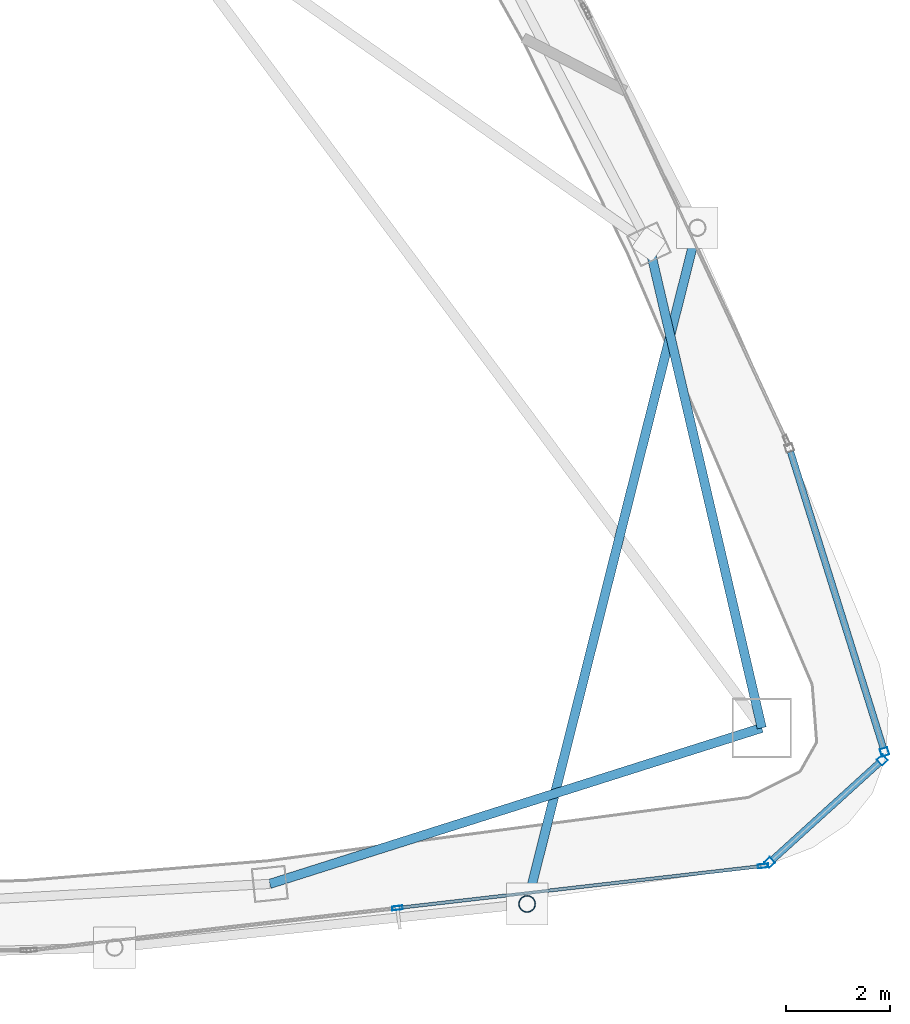
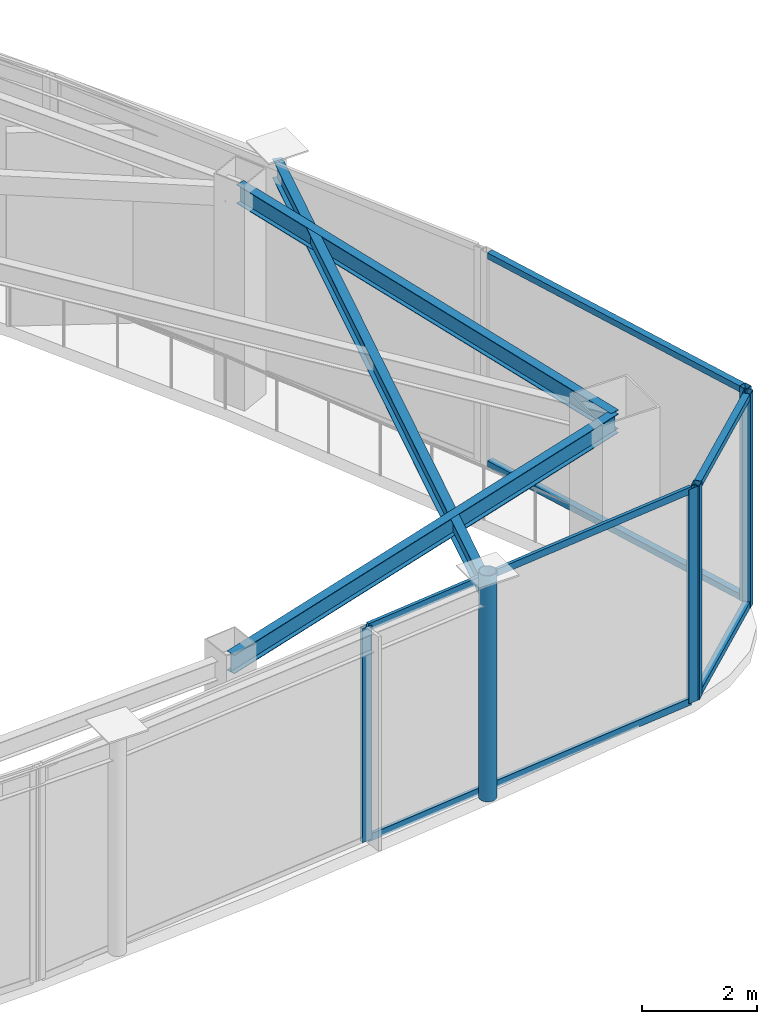
# One storey, part 11 of 20: 12 members, 3 beams, 3 elements without a shape of their own.
"""IFC4 building model written with IfcOpenShell, lengths in metres."""

from ifc_helpers import new_model, si_unit, direction, frame, origin, origin_2d, place, context, subcontext, project, spatial, hollow_rectangle, hollow_circle, i_section, extrude, material, layer, layer_set, material_profile, profile_set, type_object, element, aggregate, save


model = new_model("IFC4")

# Units and contexts
model_context = context("Model", 3, precision=1e-05, world=origin(), true_north=direction((0.0, 1.0)))
body_context = subcontext(model_context, "Body", "Model", "MODEL_VIEW")
ifc_project = project(units=[si_unit("LENGTHUNIT", "METRE"), si_unit("AREAUNIT", "SQUARE_METRE"), si_unit("VOLUMEUNIT", "CUBIC_METRE"), si_unit("PLANEANGLEUNIT", "RADIAN"), si_unit("MASSUNIT", "GRAM", prefix="KILO")], contexts=[model_context])

# Site, building, storey
site_placement = place(None, origin())
site = spatial("IfcSite", under=ifc_project, at=site_placement, CompositionType="ELEMENT")
building_placement = place(site_placement, origin())
building = spatial("IfcBuilding", under=site, at=building_placement, Name="Orvanel Arch Residences", CompositionType="ELEMENT")
storey_placement = place(building_placement, frame((0.0, 0.0, 300.5)))
storey = spatial("IfcBuildingStorey", under=building, at=storey_placement, Name="L84", CompositionType="ELEMENT", Elevation=300.5)

# Curtain wall, members
ifc_material_1 = material(Name="Bronze-anodised aluminium AA6063-T6", Category="aluminium")
ifc_layer = layer(ifc_material_1, 0.2099609375)
ifc_layer_set = layer_set([ifc_layer], Name="Bronze-anodised aluminium AA6063-T6")
curtain_wall_type = type_object("IfcCurtainWallType", Name="CW7-TOP-SYS", PredefinedType="NOTDEFINED", material=ifc_layer_set)
curtain_wall_1_placement = place(storey_placement, origin())
curtain_wall_1 = element("IfcCurtainWall", 1, at=curtain_wall_1_placement, inside=storey, type_object=curtain_wall_type, Name="L84 CW7-TOP-SYS Unitised Curtain Wall", PredefinedType="NOTDEFINED")
ifc_material_profile_1 = material_profile(ifc_material_1, hollow_rectangle(XDim=0.14990234375, YDim=0.14990234375, WallThickness=0.0048828125, at=origin_2d()), Name="ALU150x150x5")
ifc_profile_set_1 = profile_set([ifc_material_profile_1], Name="Bronze-anodised aluminium AA6063-T6")
member_type_1 = type_object("IfcMemberType", Name="MUL-150x150", PredefinedType="MULLION", material=ifc_profile_set_1)
member_1_placement = place(storey_placement, frame((51.95361328125, 7.76953125, 0.0), z_axis=(0.0, 0.0, 1.0), x_axis=(-0.672462257522, 0.740131415499, 0.0)))
member_1 = element("IfcMember", 2, at=member_1_placement, type_object=member_type_1, Name="CW-S7 mullion 1", PredefinedType="MULLION", context=body_context, shape_type="SweptSolid", body=[
    extrude(hollow_rectangle(XDim=0.14990234375, YDim=0.14990234375, WallThickness=0.0048828125, at=origin_2d()), origin(), (0.0, 0.0, 1.0), 4.550048828125),
])
member_2_placement = place(storey_placement, frame((54.117431640625, 9.735595703125, 0.0), z_axis=(0.0, 0.0, 1.0), x_axis=(-0.672462257522, 0.740131415499, 0.0)))
member_2 = element("IfcMember", 3, at=member_2_placement, type_object=member_type_1, Name="CW-S7 mullion 2", PredefinedType="MULLION", context=body_context, shape_type="SweptSolid", body=[
    extrude(hollow_rectangle(XDim=0.14990234375, YDim=0.14990234375, WallThickness=0.0048828125, at=origin_2d()), origin(), (0.0, 0.0, 1.0), 4.550048828125),
])

# Curtain wall, member
curtain_wall_2_placement = place(storey_placement, origin())
curtain_wall_2 = element("IfcCurtainWall", 4, at=curtain_wall_2_placement, inside=storey, type_object=curtain_wall_type, Name="L84 CW7-TOP-SYS Unitised Curtain Wall", PredefinedType="NOTDEFINED")
member_3_placement = place(storey_placement, frame((54.15966796875, 9.8896484375, 0.0), z_axis=(0.0, 0.0, 1.0), x_axis=(-0.954283945864, -0.298901573542, 0.0)))
member_3 = element("IfcMember", 5, at=member_3_placement, type_object=member_type_1, Name="CW-S7 mullion 1", PredefinedType="MULLION", context=body_context, shape_type="SweptSolid", body=[
    extrude(hollow_rectangle(XDim=0.14990234375, YDim=0.14990234375, WallThickness=0.0048828125, at=origin_2d()), origin(), (0.0, 0.0, 1.0), 4.550048828125),
])

# Curtain wall, members
curtain_wall_3_placement = place(storey_placement, origin())
curtain_wall_3 = element("IfcCurtainWall", 6, at=curtain_wall_3_placement, inside=storey, type_object=curtain_wall_type, Name="L84 CW7-TOP-SYS Unitised Curtain Wall", PredefinedType="NOTDEFINED")
ifc_material_profile_2 = material_profile(ifc_material_1, hollow_rectangle(XDim=0.074951171875, YDim=0.199951171875, WallThickness=0.0048828125, at=origin_2d()), Name="ALU200x75x5")
ifc_profile_set_2 = profile_set([ifc_material_profile_2], Name="Bronze-anodised aluminium AA6063-T6")
member_type_2 = type_object("IfcMemberType", Name="MUL-200x75", PredefinedType="MULLION", material=ifc_profile_set_2)
member_4_placement = place(storey_placement, frame((44.802001953125, 6.89208984375, 0.0), z_axis=(0.0, 0.0, 1.0), x_axis=(-0.11424494002, 0.9934526127, 0.0)))
member_4 = element("IfcMember", 7, at=member_4_placement, type_object=member_type_2, Name="CW-S7 mullion 2", PredefinedType="MULLION", context=body_context, shape_type="SweptSolid", body=[
    extrude(hollow_rectangle(XDim=0.074951171875, YDim=0.199951171875, WallThickness=0.0048828125, at=origin_2d()), origin(), (0.0, 0.0, 1.0), 4.550048828125),
])
member_5_placement = place(storey_placement, frame((51.82568359375, 7.69970703125, 0.0), z_axis=(0.0, 0.0, 1.0), x_axis=(-0.11424494002, 0.9934526127, 0.0)))
member_5 = element("IfcMember", 8, at=member_5_placement, type_object=member_type_2, Name="CW-S7 mullion 3", PredefinedType="MULLION", context=body_context, shape_type="SweptSolid", body=[
    extrude(hollow_rectangle(XDim=0.074951171875, YDim=0.199951171875, WallThickness=0.0048828125, at=origin_2d()), origin(), (0.0, 0.0, 1.0), 4.550048828125),
])

# Beams
ifc_material_2 = material(Name="Structural steel AS/NZS 3679.1 Grade 300 (300 MPa)", Category="steel")
ifc_material_profile_3 = material_profile(ifc_material_2, i_section(OverallWidth=0.177978515625, OverallDepth=0.406005859375, WebThickness=0.0078125, FlangeThickness=0.0126953125, at=origin_2d()), Name="410UB59.7")
ifc_profile_set_3 = profile_set([ifc_material_profile_3], Name="Structural steel AS/NZS 3679.1 Grade 300 (300 MPa)")
beam_type_1 = type_object("IfcBeamType", Name="OB-410UB", PredefinedType="SPANDREL", material=ifc_profile_set_3)
beam_1_placement = place(storey_placement, frame((42.35107421875, 7.35498046875, 4.346923828125), z_axis=(0.953237386592, 0.302222574941, 0.0), x_axis=(-0.302222574941, 0.953237386592, 0.0)))
element("IfcBeam", 9, at=beam_1_placement, inside=storey, type_object=beam_type_1, Name="L84 Perimeter Spandrel Beam 05", PredefinedType="SPANDREL", context=body_context, shape_type="SweptSolid", body=[
    extrude(i_section(OverallWidth=0.177978515625, OverallDepth=0.406005859375, WebThickness=0.0078125, FlangeThickness=0.0126953125, at=origin_2d()), origin(), (0.0, 0.0, 1.0), 9.91357421875),
])
beam_2_placement = place(storey_placement, frame((51.801025390625, 10.35107421875, 4.346923828125), z_axis=(-0.227236087167, 0.973839699688, 0.0), x_axis=(-0.973839699688, -0.227236087167, 0.0)))
element("IfcBeam", 10, at=beam_2_placement, inside=storey, type_object=beam_type_1, Name="L84 Perimeter Spandrel Beam 06", PredefinedType="SPANDREL", context=body_context, shape_type="SweptSolid", body=[
    extrude(i_section(OverallWidth=0.177978515625, OverallDepth=0.406005859375, WebThickness=0.0078125, FlangeThickness=0.0126953125, at=origin_2d()), origin(), (0.0, 0.0, 1.0), 9.54052734375),
])
ifc_material_profile_4 = material_profile(ifc_material_2, i_section(OverallWidth=0.177978515625, OverallDepth=0.406005859375, WebThickness=0.0078125, FlangeThickness=0.0126953125, at=origin_2d()), Name="410UB59.7")
ifc_profile_set_4 = profile_set([ifc_material_profile_4], Name="Structural steel AS/NZS 3679.1 Grade 300 (300 MPa)")
beam_type_2 = type_object("IfcBeamType", Name="OB-410UB-EXT", PredefinedType="SPANDREL", material=ifc_profile_set_4)
beam_3_placement = place(storey_placement, frame((47.29296875, 6.969970703125, 4.346923828125), z_axis=(0.244220827224, 0.969719643789, 0.0), x_axis=(-0.969719643789, 0.244220827224, 0.0)))
element("IfcBeam", 11, at=beam_3_placement, inside=storey, type_object=beam_type_2, Name="L84 Outer Perimeter Floor Ring Beam 08", PredefinedType="SPANDREL", context=body_context, shape_type="SweptSolid", body=[
    extrude(i_section(OverallWidth=0.177978515625, OverallDepth=0.406005859375, WebThickness=0.0078125, FlangeThickness=0.0126953125, at=origin_2d()), origin(), (0.0, 0.0, 1.0), 13.3935546875),
])

# Member
ifc_material_3 = material(Name="Structural steel AS/NZS 1163 C350L0 (Grade 350)", Category="steel")
ifc_material_profile_5 = material_profile(ifc_material_3, hollow_circle(Radius=0.162109375, WallThickness=0.0126953125, at=origin_2d()), Name="CHS324x12.7")
ifc_profile_set_5 = profile_set([ifc_material_profile_5], Name="Structural steel AS/NZS 1163 C350L0 (Grade 350)")
member_type_3 = type_object("IfcMemberType", Name="ST-324CHS-EXT", PredefinedType="STRUT", material=ifc_profile_set_5)
member_6_placement = place(storey_placement, frame((47.29296875, 6.969970703125, 0.0), z_axis=(0.0, 0.0, 1.0), x_axis=(1.0, 0.0, 0.0)))
element("IfcMember", 12, at=member_6_placement, inside=storey, type_object=member_type_3, Name="L84 Outer Perimeter Frame Post 08", PredefinedType="STRUT", context=body_context, shape_type="SweptSolid", body=[
    extrude(hollow_circle(Radius=0.162109375, WallThickness=0.0126953125, at=origin_2d()), origin(), (0.0, 0.0, 1.0), 4.800048828125),
])

ifc_material_profile_6 = material_profile(ifc_material_1, hollow_rectangle(XDim=0.1298828125, YDim=0.1298828125, WallThickness=0.00439453125, at=origin_2d()), Name="ALU130x130x4.5")
ifc_profile_set_6 = profile_set([ifc_material_profile_6], Name="Bronze-anodised aluminium AA6063-T6")
member_type_4 = type_object("IfcMemberType", Name="TRN-130x130", PredefinedType="USERDEFINED", material=ifc_profile_set_6)
member_7_placement = place(storey_placement, frame((52.009033203125, 7.81982421875, 0.06494140625), z_axis=(0.740139175593, 0.672453716439, 0.0), x_axis=(-0.672453716439, 0.740139175593, 0.0)))
member_7 = element("IfcMember", 13, at=member_7_placement, type_object=member_type_4, Name="CW-S7 transom 1.1", ObjectType="TRANSOM", PredefinedType="USERDEFINED", context=body_context, shape_type="SweptSolid", body=[
    extrude(hollow_rectangle(XDim=0.1298828125, YDim=0.1298828125, WallThickness=0.00439453125, at=origin_2d()), origin(), (0.0, 0.0, 1.0), 2.773681640625),
])

member_8_placement = place(storey_placement, frame((52.009033203125, 7.81982421875, 4.485107421875), z_axis=(0.740139175593, 0.672453716439, 0.0), x_axis=(-0.672453716439, 0.740139175593, 0.0)))
member_8 = element("IfcMember", 14, at=member_8_placement, type_object=member_type_4, Name="CW-S7 transom 1.2", ObjectType="TRANSOM", PredefinedType="USERDEFINED", context=body_context, shape_type="SweptSolid", body=[
    extrude(hollow_rectangle(XDim=0.1298828125, YDim=0.1298828125, WallThickness=0.00439453125, at=origin_2d()), origin(), (0.0, 0.0, 1.0), 2.773681640625),
])

aggregate(curtain_wall_1, [member_1, member_2, member_7, member_8])

member_9_placement = place(storey_placement, frame((54.13720703125, 9.961181640625, 0.06494140625), z_axis=(-0.298912971075, 0.954280375845, 0.0), x_axis=(-0.954280375845, -0.298912971075, 0.0)))
member_9 = element("IfcMember", 15, at=member_9_placement, type_object=member_type_4, Name="CW-S7 transom 1.1", ObjectType="TRANSOM", PredefinedType="USERDEFINED", context=body_context, shape_type="SweptSolid", body=[
    extrude(hollow_rectangle(XDim=0.1298828125, YDim=0.1298828125, WallThickness=0.00439453125, at=origin_2d()), origin(), (0.0, 0.0, 1.0), 5.9697265625),
])

member_10_placement = place(storey_placement, frame((54.13720703125, 9.961181640625, 4.485107421875), z_axis=(-0.298912971075, 0.954280375845, 0.0), x_axis=(-0.954280375845, -0.298912971075, 0.0)))
member_10 = element("IfcMember", 16, at=member_10_placement, type_object=member_type_4, Name="CW-S7 transom 1.2", ObjectType="TRANSOM", PredefinedType="USERDEFINED", context=body_context, shape_type="SweptSolid", body=[
    extrude(hollow_rectangle(XDim=0.1298828125, YDim=0.1298828125, WallThickness=0.00439453125, at=origin_2d()), origin(), (0.0, 0.0, 1.0), 5.9697265625),
])

aggregate(curtain_wall_2, [member_3, member_9, member_10])

ifc_material_profile_7 = material_profile(ifc_material_1, hollow_rectangle(XDim=0.06494140625, YDim=0.14990234375, WallThickness=0.00390625, at=origin_2d()), Name="ALU150x65x4")
ifc_profile_set_7 = profile_set([ifc_material_profile_7], Name="Bronze-anodised aluminium AA6063-T6")
member_type_5 = type_object("IfcMemberType", Name="TRN-150x65", PredefinedType="USERDEFINED", material=ifc_profile_set_7)
member_11_placement = place(storey_placement, frame((44.83935546875, 6.896240234375, 0.032470703125), z_axis=(0.993453799179, 0.114234622144, 0.0), x_axis=(-0.114234622144, 0.993453799179, 0.0)))
member_11 = element("IfcMember", 17, at=member_11_placement, type_object=member_type_5, Name="CW-S7 transom 2.1", ObjectType="TRANSOM", PredefinedType="USERDEFINED", context=body_context, shape_type="SweptSolid", body=[
    extrude(hollow_rectangle(XDim=0.06494140625, YDim=0.14990234375, WallThickness=0.00390625, at=origin_2d()), origin(), (0.0, 0.0, 1.0), 6.9951171875),
])

member_12_placement = place(storey_placement, frame((44.83935546875, 6.896240234375, 4.517578125), z_axis=(0.993453799179, 0.114234622144, 0.0), x_axis=(-0.114234622144, 0.993453799179, 0.0)))
member_12 = element("IfcMember", 18, at=member_12_placement, type_object=member_type_5, Name="CW-S7 transom 2.2", ObjectType="TRANSOM", PredefinedType="USERDEFINED", context=body_context, shape_type="SweptSolid", body=[
    extrude(hollow_rectangle(XDim=0.06494140625, YDim=0.14990234375, WallThickness=0.00390625, at=origin_2d()), origin(), (0.0, 0.0, 1.0), 6.9951171875),
])

aggregate(curtain_wall_3, [member_4, member_5, member_11, member_12])

save(model, "model.ifc")
